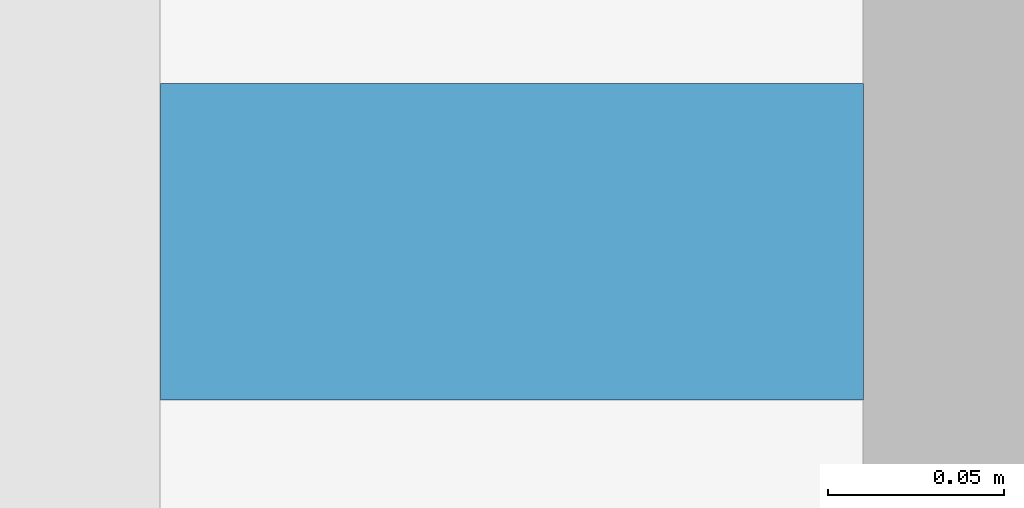
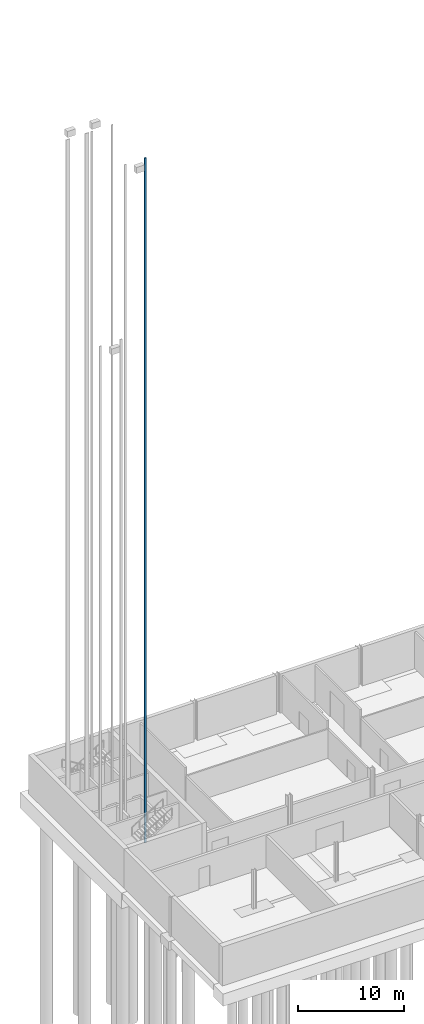
# One storey, part 22 of 41: 1 discrete accessory.
"""IFC4 building model written with IfcOpenShell, lengths in metres."""

from ifc_helpers import new_model, si_unit, direction, frame, origin, origin_2d, place, context, subcontext, project, spatial, rectangle, extrude, material, type_object, element, save


model = new_model("IFC4")

# Units and contexts
model_context = context("Model", 3, precision=1e-05, world=origin(), true_north=direction((0.0, 1.0)))
body_context = subcontext(model_context, "Body", "Model", "MODEL_VIEW")
ifc_project = project(units=[si_unit("LENGTHUNIT", "METRE"), si_unit("AREAUNIT", "SQUARE_METRE"), si_unit("VOLUMEUNIT", "CUBIC_METRE"), si_unit("PLANEANGLEUNIT", "RADIAN"), si_unit("MASSUNIT", "GRAM", prefix="KILO")], contexts=[model_context])

# Site, building, storey
site_placement = place(None, origin())
site = spatial("IfcSite", under=ifc_project, at=site_placement, CompositionType="ELEMENT")
building_placement = place(site_placement, origin())
building = spatial("IfcBuilding", under=site, at=building_placement, Name="Corbel Yard City Hall", CompositionType="ELEMENT")
storey_placement = place(building_placement, frame((0.0, 0.0, -4.5)))
storey = spatial("IfcBuildingStorey", under=building, at=storey_placement, Name="B1", CompositionType="ELEMENT", Elevation=-4.5)

# Discrete accessory
ifc_material = material(Name="Steel Grade G250", Category="steel")
discrete_accessory_type = type_object("IfcDiscreteAccessoryType", Name="LR1", PredefinedType="USERDEFINED", material=ifc_material)
discrete_accessory_placement = place(storey_placement, frame((5.550048828125, 104.550048828125, 0.0), z_axis=(0.0, 0.0, 1.0), x_axis=(1.0, 0.0, 0.0)))
element("IfcDiscreteAccessory", 1, at=discrete_accessory_placement, inside=storey, type_object=discrete_accessory_type, Name="Lift LP22 guide rail 2", ObjectType="GUIDE RAIL", PredefinedType="USERDEFINED", context=body_context, shape_type="SweptSolid", body=[
    extrude(rectangle(XDim=0.199951171875, YDim=0.090087890625, at=origin_2d()), origin(), (0.0, 0.0, 1.0), 79.0),
])

save(model, "model.ifc")
